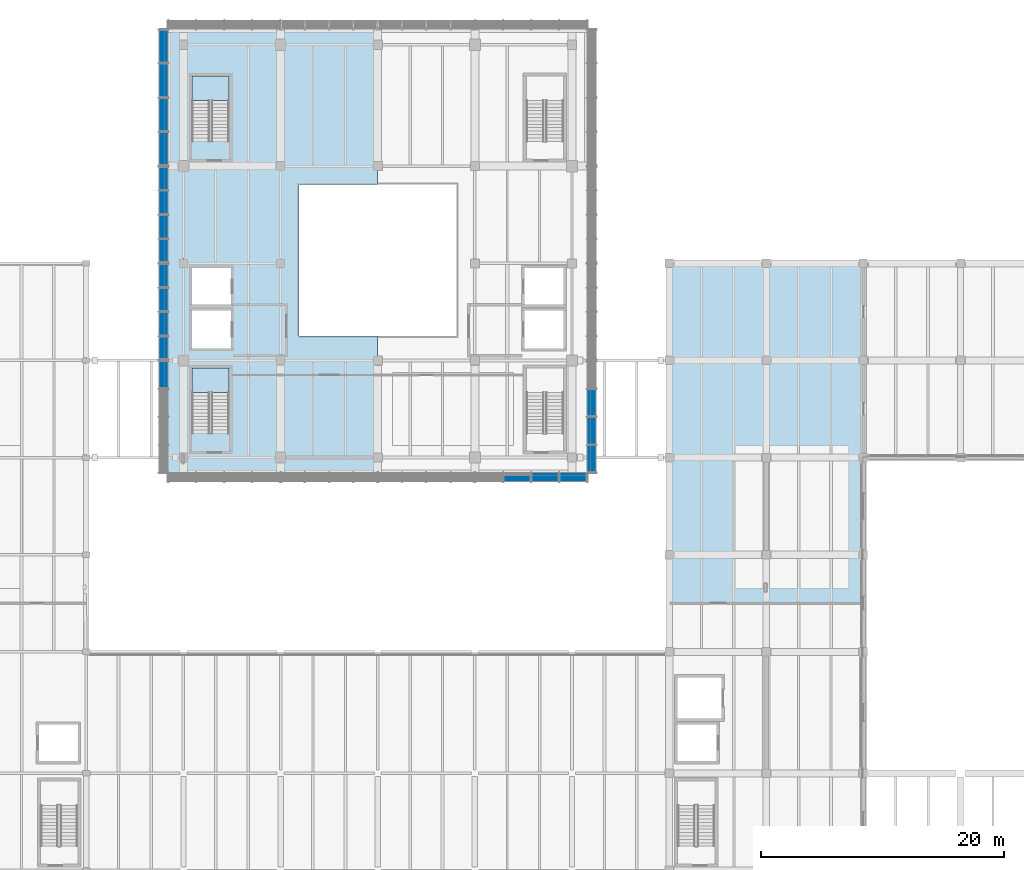
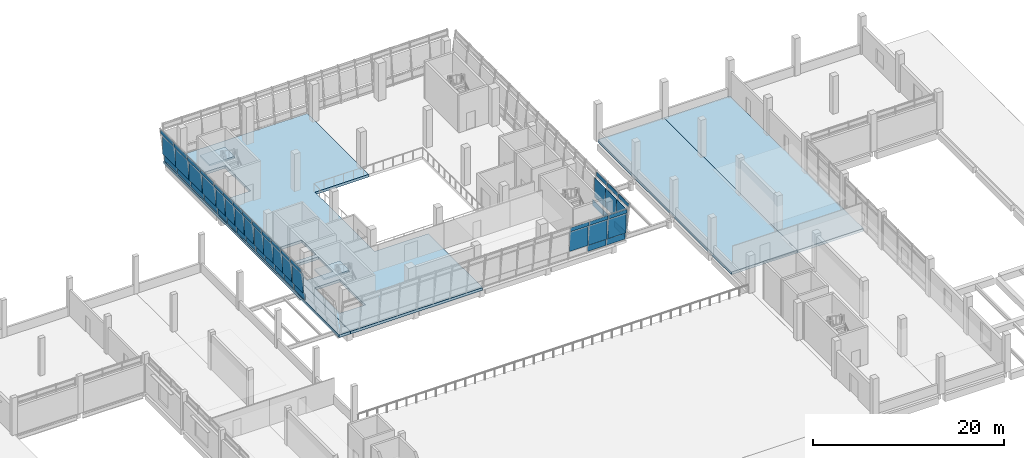
# One storey, part 24 of 52: 56 plates, 6 slabs, 8 elements without a shape of their own.
"""IFC4 building model written with IfcOpenShell, lengths in metres."""

from ifc_helpers import new_model, si_unit, direction, frame, origin, origin_2d, place, context, subcontext, project, spatial, polyline, rectangle, outline, extrude, material, layer, layer_set, type_object, element, aggregate, save


model = new_model("IFC4")

# Units and contexts
model_context = context("Model", 3, precision=1e-05, world=origin(), true_north=direction((0.0, 1.0)))
body_context = subcontext(model_context, "Body", "Model", "MODEL_VIEW")
ifc_project = project(units=[si_unit("LENGTHUNIT", "METRE"), si_unit("AREAUNIT", "SQUARE_METRE"), si_unit("VOLUMEUNIT", "CUBIC_METRE"), si_unit("PLANEANGLEUNIT", "RADIAN"), si_unit("MASSUNIT", "GRAM", prefix="KILO")], contexts=[model_context])

# Site, building, storey
site_placement = place(None, origin())
site = spatial("IfcSite", under=ifc_project, at=site_placement, CompositionType="ELEMENT")
building_placement = place(site_placement, origin())
building = spatial("IfcBuilding", under=site, at=building_placement, Name="Pecanmere Concourse Central Library", CompositionType="ELEMENT")
storey_placement = place(building_placement, frame((0.0, 0.0, 10.5)))
storey = spatial("IfcBuildingStorey", under=building, at=storey_placement, Name="L03", CompositionType="ELEMENT", Elevation=10.5)

# Curtain wall, plates
ifc_material_1 = material(Name="Anodized bronze aluminium alloy 6063-T6", Category="aluminium")
curtain_wall_type = type_object("IfcCurtainWallType", Name="CW_LEAN_BANDED", PredefinedType="USERDEFINED", material=ifc_material_1)
curtain_wall_1_placement = place(storey_placement, origin())
curtain_wall_1 = element("IfcCurtainWall", 1, at=curtain_wall_1_placement, inside=storey, type_object=curtain_wall_type, Name="Unitised Curtain Wall CW-01 L03-029", ObjectType="UNITISED CURTAIN WALL", PredefinedType="USERDEFINED")
ifc_material_2 = material(Name="White ceramic-fritted insulated spandrel glazing", Category="glass")
ifc_layer_1 = layer(ifc_material_2, 0.06396484375, Name="CWP_SPN_64")
ifc_layer_set_1 = layer_set([ifc_layer_1], Name="White ceramic-fritted insulated spandrel glazing")
plate_type_1 = type_object("IfcPlateType", Name="CWP_SPN_64", PredefinedType="CURTAIN_PANEL", material=ifc_layer_set_1)
plate_1_placement = place(storey_placement, frame((101.802490234375, 88.60302734375, 0.18017578125), z_axis=(0.0, 0.0, 1.0), x_axis=(1.0, 0.0, 0.0)))
plate_1 = element("IfcPlate", 2, at=plate_1_placement, type_object=plate_type_1, Name="CW-01 Spandrel Panel 3.1", PredefinedType="CURTAIN_PANEL", context=body_context, shape_type="SweptSolid", body=[
    extrude(rectangle(XDim=2.243896484375, YDim=0.0419921875, at=origin_2d()), origin(), (0.0, 0.0, 1.0), 0.780029296875),
])
plate_2_placement = place(storey_placement, frame((104.102783203125, 88.60302734375, 0.18017578125), z_axis=(0.0, 0.0, 1.0), x_axis=(1.0, 0.0, 0.0)))
plate_2 = element("IfcPlate", 3, at=plate_2_placement, type_object=plate_type_1, Name="CW-01 Spandrel Panel 4.1", PredefinedType="CURTAIN_PANEL", context=body_context, shape_type="SweptSolid", body=[
    extrude(rectangle(XDim=2.20654296875, YDim=0.0419921875, at=origin_2d()), origin(), (0.0, 0.0, 1.0), 0.780029296875),
])

curtain_wall_2_placement = place(storey_placement, origin())
curtain_wall_2 = element("IfcCurtainWall", 4, at=curtain_wall_2_placement, inside=storey, type_object=curtain_wall_type, Name="Unitised Curtain Wall CW-01 L03-030", ObjectType="UNITISED CURTAIN WALL", PredefinedType="USERDEFINED")
plate_3_placement = place(storey_placement, frame((105.39697265625, 89.897216796875, 0.18017578125), z_axis=(0.0, 0.0, 1.0), x_axis=(0.0, 1.0, 0.0)))
plate_3 = element("IfcPlate", 5, at=plate_3_placement, type_object=plate_type_1, Name="CW-01 Spandrel Panel 1.1", PredefinedType="CURTAIN_PANEL", context=body_context, shape_type="SweptSolid", body=[
    extrude(rectangle(XDim=2.20654296875, YDim=0.0419921875, at=origin_2d()), origin(), (0.0, 0.0, 1.0), 0.780029296875),
])
plate_4_placement = place(storey_placement, frame((105.39697265625, 92.197509765625, 0.18017578125), z_axis=(0.0, 0.0, 1.0), x_axis=(0.0, 1.0, 0.0)))
plate_4 = element("IfcPlate", 6, at=plate_4_placement, type_object=plate_type_1, Name="CW-01 Spandrel Panel 2.1", PredefinedType="CURTAIN_PANEL", context=body_context, shape_type="SweptSolid", body=[
    extrude(rectangle(XDim=2.243896484375, YDim=0.0419921875, at=origin_2d()), origin(), (0.0, 0.0, 1.0), 0.780029296875),
])
plate_5_placement = place(storey_placement, frame((105.39697265625, 94.5166015625, 0.18017578125), z_axis=(0.0, 0.0, 1.0), x_axis=(0.0, 1.0, 0.0)))
plate_5 = element("IfcPlate", 7, at=plate_5_placement, type_object=plate_type_1, Name="CW-01 Spandrel Panel 3.1", PredefinedType="CURTAIN_PANEL", context=body_context, shape_type="SweptSolid", body=[
    extrude(rectangle(XDim=2.243896484375, YDim=0.0419921875, at=origin_2d()), origin(), (0.0, 0.0, 1.0), 0.780029296875),
])

curtain_wall_3_placement = place(storey_placement, origin())
curtain_wall_3 = element("IfcCurtainWall", 8, at=curtain_wall_3_placement, inside=storey, type_object=curtain_wall_type, Name="Unitised Curtain Wall CW-01 L03-034", ObjectType="UNITISED CURTAIN WALL", PredefinedType="USERDEFINED")
plate_6_placement = place(storey_placement, frame((70.60302734375, 123.852783203125, 0.18017578125), z_axis=(0.0, 0.0, 1.0), x_axis=(0.0, -1.0, 0.0)))
plate_6 = element("IfcPlate", 9, at=plate_6_placement, type_object=plate_type_1, Name="CW-01 Spandrel Panel 1.1", PredefinedType="CURTAIN_PANEL", context=body_context, shape_type="SweptSolid", body=[
    extrude(rectangle(XDim=2.70654296875, YDim=0.0419921875, at=origin_2d()), origin(), (0.0, 0.0, 1.0), 0.780029296875),
])
plate_7_placement = place(storey_placement, frame((70.60302734375, 121.052490234375, 0.18017578125), z_axis=(0.0, 0.0, 1.0), x_axis=(0.0, -1.0, 0.0)))
plate_7 = element("IfcPlate", 10, at=plate_7_placement, type_object=plate_type_1, Name="CW-01 Spandrel Panel 2.1", PredefinedType="CURTAIN_PANEL", context=body_context, shape_type="SweptSolid", body=[
    extrude(rectangle(XDim=2.743896484375, YDim=0.0419921875, at=origin_2d()), origin(), (0.0, 0.0, 1.0), 0.780029296875),
])
plate_8_placement = place(storey_placement, frame((70.60302734375, 118.2333984375, 0.18017578125), z_axis=(0.0, 0.0, 1.0), x_axis=(0.0, -1.0, 0.0)))
plate_8 = element("IfcPlate", 11, at=plate_8_placement, type_object=plate_type_1, Name="CW-01 Spandrel Panel 3.1", PredefinedType="CURTAIN_PANEL", context=body_context, shape_type="SweptSolid", body=[
    extrude(rectangle(XDim=2.743896484375, YDim=0.0419921875, at=origin_2d()), origin(), (0.0, 0.0, 1.0), 0.780029296875),
])
plate_9_placement = place(storey_placement, frame((70.60302734375, 115.433349609375, 0.18017578125), z_axis=(0.0, 0.0, 1.0), x_axis=(0.0, -1.0, 0.0)))
plate_9 = element("IfcPlate", 12, at=plate_9_placement, type_object=plate_type_1, Name="CW-01 Spandrel Panel 4.1", PredefinedType="CURTAIN_PANEL", context=body_context, shape_type="SweptSolid", body=[
    extrude(rectangle(XDim=2.70654296875, YDim=0.0419921875, at=origin_2d()), origin(), (0.0, 0.0, 1.0), 0.780029296875),
])

curtain_wall_4_placement = place(storey_placement, origin())
curtain_wall_4 = element("IfcCurtainWall", 13, at=curtain_wall_4_placement, inside=storey, type_object=curtain_wall_type, Name="Unitised Curtain Wall CW-01 L03-035", ObjectType="UNITISED CURTAIN WALL", PredefinedType="USERDEFINED")
plate_10_placement = place(storey_placement, frame((70.60302734375, 112.9775390625, 0.18017578125), z_axis=(0.0, 0.0, 1.0), x_axis=(0.0, -1.0, 0.0)))
plate_10 = element("IfcPlate", 14, at=plate_10_placement, type_object=plate_type_1, Name="CW-01 Spandrel Panel 1.1", PredefinedType="CURTAIN_PANEL", context=body_context, shape_type="SweptSolid", body=[
    extrude(rectangle(XDim=1.885009765625, YDim=0.0419921875, at=origin_2d()), origin(), (0.0, 0.0, 1.0), 0.780029296875),
])
plate_11_placement = place(storey_placement, frame((70.60302734375, 110.998779296875, 0.18017578125), z_axis=(0.0, 0.0, 1.0), x_axis=(0.0, -1.0, 0.0)))
plate_11 = element("IfcPlate", 15, at=plate_11_placement, type_object=plate_type_1, Name="CW-01 Spandrel Panel 2.1", PredefinedType="CURTAIN_PANEL", context=body_context, shape_type="SweptSolid", body=[
    extrude(rectangle(XDim=1.922607421875, YDim=0.0419921875, at=origin_2d()), origin(), (0.0, 0.0, 1.0), 0.780029296875),
])
plate_12_placement = place(storey_placement, frame((70.60302734375, 109.001220703125, 0.18017578125), z_axis=(0.0, 0.0, 1.0), x_axis=(0.0, -1.0, 0.0)))
plate_12 = element("IfcPlate", 16, at=plate_12_placement, type_object=plate_type_1, Name="CW-01 Spandrel Panel 3.1", PredefinedType="CURTAIN_PANEL", context=body_context, shape_type="SweptSolid", body=[
    extrude(rectangle(XDim=1.922607421875, YDim=0.0419921875, at=origin_2d()), origin(), (0.0, 0.0, 1.0), 0.780029296875),
])
plate_13_placement = place(storey_placement, frame((70.60302734375, 107.0224609375, 0.18017578125), z_axis=(0.0, 0.0, 1.0), x_axis=(0.0, -1.0, 0.0)))
plate_13 = element("IfcPlate", 17, at=plate_13_placement, type_object=plate_type_1, Name="CW-01 Spandrel Panel 4.1", PredefinedType="CURTAIN_PANEL", context=body_context, shape_type="SweptSolid", body=[
    extrude(rectangle(XDim=1.885009765625, YDim=0.0419921875, at=origin_2d()), origin(), (0.0, 0.0, 1.0), 0.780029296875),
])

curtain_wall_5_placement = place(storey_placement, origin())
curtain_wall_5 = element("IfcCurtainWall", 18, at=curtain_wall_5_placement, inside=storey, type_object=curtain_wall_type, Name="Unitised Curtain Wall CW-01 L03-036", ObjectType="UNITISED CURTAIN WALL", PredefinedType="USERDEFINED")
plate_14_placement = place(storey_placement, frame((70.60302734375, 104.9775390625, 0.18017578125), z_axis=(0.0, 0.0, 1.0), x_axis=(0.0, -1.0, 0.0)))
plate_14 = element("IfcPlate", 19, at=plate_14_placement, type_object=plate_type_1, Name="CW-01 Spandrel Panel 1.1", PredefinedType="CURTAIN_PANEL", context=body_context, shape_type="SweptSolid", body=[
    extrude(rectangle(XDim=1.885009765625, YDim=0.0419921875, at=origin_2d()), origin(), (0.0, 0.0, 1.0), 0.780029296875),
])
plate_15_placement = place(storey_placement, frame((70.60302734375, 102.998779296875, 0.18017578125), z_axis=(0.0, 0.0, 1.0), x_axis=(0.0, -1.0, 0.0)))
plate_15 = element("IfcPlate", 20, at=plate_15_placement, type_object=plate_type_1, Name="CW-01 Spandrel Panel 2.1", PredefinedType="CURTAIN_PANEL", context=body_context, shape_type="SweptSolid", body=[
    extrude(rectangle(XDim=1.922607421875, YDim=0.0419921875, at=origin_2d()), origin(), (0.0, 0.0, 1.0), 0.780029296875),
])
plate_16_placement = place(storey_placement, frame((70.60302734375, 101.001220703125, 0.18017578125), z_axis=(0.0, 0.0, 1.0), x_axis=(0.0, -1.0, 0.0)))
plate_16 = element("IfcPlate", 21, at=plate_16_placement, type_object=plate_type_1, Name="CW-01 Spandrel Panel 3.1", PredefinedType="CURTAIN_PANEL", context=body_context, shape_type="SweptSolid", body=[
    extrude(rectangle(XDim=1.922607421875, YDim=0.0419921875, at=origin_2d()), origin(), (0.0, 0.0, 1.0), 0.780029296875),
])
plate_17_placement = place(storey_placement, frame((70.60302734375, 99.0224609375, 0.18017578125), z_axis=(0.0, 0.0, 1.0), x_axis=(0.0, -1.0, 0.0)))
plate_17 = element("IfcPlate", 22, at=plate_17_placement, type_object=plate_type_1, Name="CW-01 Spandrel Panel 4.1", PredefinedType="CURTAIN_PANEL", context=body_context, shape_type="SweptSolid", body=[
    extrude(rectangle(XDim=1.885009765625, YDim=0.0419921875, at=origin_2d()), origin(), (0.0, 0.0, 1.0), 0.780029296875),
])

# Curtain wall, plate
curtain_wall_6_placement = place(storey_placement, origin())
curtain_wall_6 = element("IfcCurtainWall", 23, at=curtain_wall_6_placement, inside=storey, type_object=curtain_wall_type, Name="Unitised Curtain Wall CW-01 L03-037", ObjectType="UNITISED CURTAIN WALL", PredefinedType="USERDEFINED")
plate_18_placement = place(storey_placement, frame((70.60302734375, 96.816650390625, 0.18017578125), z_axis=(0.0, 0.0, 1.0), x_axis=(0.0, -1.0, 0.0)))
plate_18 = element("IfcPlate", 24, at=plate_18_placement, type_object=plate_type_1, Name="CW-01 Spandrel Panel 1.1", PredefinedType="CURTAIN_PANEL", context=body_context, shape_type="SweptSolid", body=[
    extrude(rectangle(XDim=2.20654296875, YDim=0.0419921875, at=origin_2d()), origin(), (0.0, 0.0, 1.0), 0.780029296875),
])

# Plate
ifc_material_3 = material(Name="Low-iron clear insulated glazing", Category="glass")
ifc_layer_2 = layer(ifc_material_3, 0.0419921875, Name="CWP_VIS_42")
ifc_layer_set_2 = layer_set([ifc_layer_2], Name="Low-iron clear insulated glazing")
plate_type_2 = type_object("IfcPlateType", Name="CWP_VIS_42", PredefinedType="CURTAIN_PANEL", material=ifc_layer_set_2)
plate_19_placement = place(storey_placement, frame((99.4833984375, 88.360107421875, 1.139892578125), z_axis=(0.0, 0.0, 1.0), x_axis=(1.0, 0.0, 0.0)))
plate_19 = element("IfcPlate", 25, at=plate_19_placement, type_object=plate_type_2, Name="CW-01 Vision Panel 2.2", PredefinedType="CURTAIN_PANEL", context=body_context, shape_type="SweptSolid", body=[
    extrude(rectangle(XDim=2.243896484375, YDim=0.0419921875, at=origin_2d()), origin(), (0.0, 0.0, 1.0), 2.5),
])

plate_20_placement = place(storey_placement, frame((99.4833984375, 88.13720703125, 3.820068359375), z_axis=(0.0, 0.0, 1.0), x_axis=(1.0, 0.0, 0.0)))
plate_20 = element("IfcPlate", 26, at=plate_20_placement, type_object=plate_type_2, Name="CW-01 Vision Panel 2.3", PredefinedType="CURTAIN_PANEL", context=body_context, shape_type="SweptSolid", body=[
    extrude(rectangle(XDim=2.243896484375, YDim=0.0419921875, at=origin_2d()), origin(), (0.0, 0.0, 1.0), 0.47998046875),
])

plate_21_placement = place(storey_placement, frame((101.802490234375, 88.360107421875, 1.139892578125), z_axis=(0.0, 0.0, 1.0), x_axis=(1.0, 0.0, 0.0)))
plate_21 = element("IfcPlate", 27, at=plate_21_placement, type_object=plate_type_2, Name="CW-01 Vision Panel 3.2", PredefinedType="CURTAIN_PANEL", context=body_context, shape_type="SweptSolid", body=[
    extrude(rectangle(XDim=2.243896484375, YDim=0.0419921875, at=origin_2d()), origin(), (0.0, 0.0, 1.0), 2.5),
])

plate_22_placement = place(storey_placement, frame((101.802490234375, 88.13720703125, 3.820068359375), z_axis=(0.0, 0.0, 1.0), x_axis=(1.0, 0.0, 0.0)))
plate_22 = element("IfcPlate", 28, at=plate_22_placement, type_object=plate_type_2, Name="CW-01 Vision Panel 3.3", PredefinedType="CURTAIN_PANEL", context=body_context, shape_type="SweptSolid", body=[
    extrude(rectangle(XDim=2.243896484375, YDim=0.0419921875, at=origin_2d()), origin(), (0.0, 0.0, 1.0), 0.47998046875),
])

plate_23_placement = place(storey_placement, frame((104.102783203125, 88.360107421875, 1.139892578125), z_axis=(0.0, 0.0, 1.0), x_axis=(1.0, 0.0, 0.0)))
plate_23 = element("IfcPlate", 29, at=plate_23_placement, type_object=plate_type_2, Name="CW-01 Vision Panel 4.2", PredefinedType="CURTAIN_PANEL", context=body_context, shape_type="SweptSolid", body=[
    extrude(rectangle(XDim=2.20654296875, YDim=0.0419921875, at=origin_2d()), origin(), (0.0, 0.0, 1.0), 2.5),
])

plate_24_placement = place(storey_placement, frame((104.102783203125, 88.13720703125, 3.820068359375), z_axis=(0.0, 0.0, 1.0), x_axis=(1.0, 0.0, 0.0)))
plate_24 = element("IfcPlate", 30, at=plate_24_placement, type_object=plate_type_2, Name="CW-01 Vision Panel 4.3", PredefinedType="CURTAIN_PANEL", context=body_context, shape_type="SweptSolid", body=[
    extrude(rectangle(XDim=2.20654296875, YDim=0.0419921875, at=origin_2d()), origin(), (0.0, 0.0, 1.0), 0.47998046875),
])

aggregate(curtain_wall_1, [plate_19, plate_20, plate_1, plate_21, plate_22, plate_2, plate_23, plate_24])

plate_25_placement = place(storey_placement, frame((105.639892578125, 89.897216796875, 1.139892578125), z_axis=(0.0, 0.0, 1.0), x_axis=(0.0, 1.0, 0.0)))
plate_25 = element("IfcPlate", 31, at=plate_25_placement, type_object=plate_type_2, Name="CW-01 Vision Panel 1.2", PredefinedType="CURTAIN_PANEL", context=body_context, shape_type="SweptSolid", body=[
    extrude(rectangle(XDim=2.20654296875, YDim=0.0419921875, at=origin_2d()), origin(), (0.0, 0.0, 1.0), 2.5),
])

plate_26_placement = place(storey_placement, frame((105.86279296875, 89.897216796875, 3.820068359375), z_axis=(0.0, 0.0, 1.0), x_axis=(0.0, 1.0, 0.0)))
plate_26 = element("IfcPlate", 32, at=plate_26_placement, type_object=plate_type_2, Name="CW-01 Vision Panel 1.3", PredefinedType="CURTAIN_PANEL", context=body_context, shape_type="SweptSolid", body=[
    extrude(rectangle(XDim=2.20654296875, YDim=0.0419921875, at=origin_2d()), origin(), (0.0, 0.0, 1.0), 0.47998046875),
])

plate_27_placement = place(storey_placement, frame((105.639892578125, 92.197509765625, 1.139892578125), z_axis=(0.0, 0.0, 1.0), x_axis=(0.0, 1.0, 0.0)))
plate_27 = element("IfcPlate", 33, at=plate_27_placement, type_object=plate_type_2, Name="CW-01 Vision Panel 2.2", PredefinedType="CURTAIN_PANEL", context=body_context, shape_type="SweptSolid", body=[
    extrude(rectangle(XDim=2.243896484375, YDim=0.0419921875, at=origin_2d()), origin(), (0.0, 0.0, 1.0), 2.5),
])

plate_28_placement = place(storey_placement, frame((105.86279296875, 92.197509765625, 3.820068359375), z_axis=(0.0, 0.0, 1.0), x_axis=(0.0, 1.0, 0.0)))
plate_28 = element("IfcPlate", 34, at=plate_28_placement, type_object=plate_type_2, Name="CW-01 Vision Panel 2.3", PredefinedType="CURTAIN_PANEL", context=body_context, shape_type="SweptSolid", body=[
    extrude(rectangle(XDim=2.243896484375, YDim=0.0419921875, at=origin_2d()), origin(), (0.0, 0.0, 1.0), 0.47998046875),
])

plate_29_placement = place(storey_placement, frame((105.639892578125, 94.5166015625, 1.139892578125), z_axis=(0.0, 0.0, 1.0), x_axis=(0.0, 1.0, 0.0)))
plate_29 = element("IfcPlate", 35, at=plate_29_placement, type_object=plate_type_2, Name="CW-01 Vision Panel 3.2", PredefinedType="CURTAIN_PANEL", context=body_context, shape_type="SweptSolid", body=[
    extrude(rectangle(XDim=2.243896484375, YDim=0.0419921875, at=origin_2d()), origin(), (0.0, 0.0, 1.0), 2.5),
])

plate_30_placement = place(storey_placement, frame((105.86279296875, 94.5166015625, 3.820068359375), z_axis=(0.0, 0.0, 1.0), x_axis=(0.0, 1.0, 0.0)))
plate_30 = element("IfcPlate", 36, at=plate_30_placement, type_object=plate_type_2, Name="CW-01 Vision Panel 3.3", PredefinedType="CURTAIN_PANEL", context=body_context, shape_type="SweptSolid", body=[
    extrude(rectangle(XDim=2.243896484375, YDim=0.0419921875, at=origin_2d()), origin(), (0.0, 0.0, 1.0), 0.47998046875),
])

aggregate(curtain_wall_2, [plate_3, plate_25, plate_26, plate_4, plate_27, plate_28, plate_5, plate_29, plate_30])

plate_31_placement = place(storey_placement, frame((70.360107421875, 123.852783203125, 1.139892578125), z_axis=(0.0, 0.0, 1.0), x_axis=(0.0, -1.0, 0.0)))
plate_31 = element("IfcPlate", 37, at=plate_31_placement, type_object=plate_type_2, Name="CW-01 Vision Panel 1.2", PredefinedType="CURTAIN_PANEL", context=body_context, shape_type="SweptSolid", body=[
    extrude(rectangle(XDim=2.70654296875, YDim=0.0419921875, at=origin_2d()), origin(), (0.0, 0.0, 1.0), 2.5),
])

plate_32_placement = place(storey_placement, frame((70.13720703125, 123.852783203125, 3.820068359375), z_axis=(0.0, 0.0, 1.0), x_axis=(0.0, -1.0, 0.0)))
plate_32 = element("IfcPlate", 38, at=plate_32_placement, type_object=plate_type_2, Name="CW-01 Vision Panel 1.3", PredefinedType="CURTAIN_PANEL", context=body_context, shape_type="SweptSolid", body=[
    extrude(rectangle(XDim=2.70654296875, YDim=0.0419921875, at=origin_2d()), origin(), (0.0, 0.0, 1.0), 0.47998046875),
])

plate_33_placement = place(storey_placement, frame((70.360107421875, 121.052490234375, 1.139892578125), z_axis=(0.0, 0.0, 1.0), x_axis=(0.0, -1.0, 0.0)))
plate_33 = element("IfcPlate", 39, at=plate_33_placement, type_object=plate_type_2, Name="CW-01 Vision Panel 2.2", PredefinedType="CURTAIN_PANEL", context=body_context, shape_type="SweptSolid", body=[
    extrude(rectangle(XDim=2.743896484375, YDim=0.0419921875, at=origin_2d()), origin(), (0.0, 0.0, 1.0), 2.5),
])

plate_34_placement = place(storey_placement, frame((70.13720703125, 121.052490234375, 3.820068359375), z_axis=(0.0, 0.0, 1.0), x_axis=(0.0, -1.0, 0.0)))
plate_34 = element("IfcPlate", 40, at=plate_34_placement, type_object=plate_type_2, Name="CW-01 Vision Panel 2.3", PredefinedType="CURTAIN_PANEL", context=body_context, shape_type="SweptSolid", body=[
    extrude(rectangle(XDim=2.743896484375, YDim=0.0419921875, at=origin_2d()), origin(), (0.0, 0.0, 1.0), 0.47998046875),
])

plate_35_placement = place(storey_placement, frame((70.360107421875, 118.2333984375, 1.139892578125), z_axis=(0.0, 0.0, 1.0), x_axis=(0.0, -1.0, 0.0)))
plate_35 = element("IfcPlate", 41, at=plate_35_placement, type_object=plate_type_2, Name="CW-01 Vision Panel 3.2", PredefinedType="CURTAIN_PANEL", context=body_context, shape_type="SweptSolid", body=[
    extrude(rectangle(XDim=2.743896484375, YDim=0.0419921875, at=origin_2d()), origin(), (0.0, 0.0, 1.0), 2.5),
])

plate_36_placement = place(storey_placement, frame((70.13720703125, 118.2333984375, 3.820068359375), z_axis=(0.0, 0.0, 1.0), x_axis=(0.0, -1.0, 0.0)))
plate_36 = element("IfcPlate", 42, at=plate_36_placement, type_object=plate_type_2, Name="CW-01 Vision Panel 3.3", PredefinedType="CURTAIN_PANEL", context=body_context, shape_type="SweptSolid", body=[
    extrude(rectangle(XDim=2.743896484375, YDim=0.0419921875, at=origin_2d()), origin(), (0.0, 0.0, 1.0), 0.47998046875),
])

plate_37_placement = place(storey_placement, frame((70.360107421875, 115.433349609375, 1.139892578125), z_axis=(0.0, 0.0, 1.0), x_axis=(0.0, -1.0, 0.0)))
plate_37 = element("IfcPlate", 43, at=plate_37_placement, type_object=plate_type_2, Name="CW-01 Vision Panel 4.2", PredefinedType="CURTAIN_PANEL", context=body_context, shape_type="SweptSolid", body=[
    extrude(rectangle(XDim=2.70654296875, YDim=0.0419921875, at=origin_2d()), origin(), (0.0, 0.0, 1.0), 2.5),
])

plate_38_placement = place(storey_placement, frame((70.13720703125, 115.433349609375, 3.820068359375), z_axis=(0.0, 0.0, 1.0), x_axis=(0.0, -1.0, 0.0)))
plate_38 = element("IfcPlate", 44, at=plate_38_placement, type_object=plate_type_2, Name="CW-01 Vision Panel 4.3", PredefinedType="CURTAIN_PANEL", context=body_context, shape_type="SweptSolid", body=[
    extrude(rectangle(XDim=2.70654296875, YDim=0.0419921875, at=origin_2d()), origin(), (0.0, 0.0, 1.0), 0.47998046875),
])

aggregate(curtain_wall_3, [plate_6, plate_31, plate_32, plate_7, plate_33, plate_34, plate_8, plate_35, plate_36, plate_9, plate_37, plate_38])

plate_39_placement = place(storey_placement, frame((70.360107421875, 112.9775390625, 1.139892578125), z_axis=(0.0, 0.0, 1.0), x_axis=(0.0, -1.0, 0.0)))
plate_39 = element("IfcPlate", 45, at=plate_39_placement, type_object=plate_type_2, Name="CW-01 Vision Panel 1.2", PredefinedType="CURTAIN_PANEL", context=body_context, shape_type="SweptSolid", body=[
    extrude(rectangle(XDim=1.885009765625, YDim=0.0419921875, at=origin_2d()), origin(), (0.0, 0.0, 1.0), 2.5),
])

plate_40_placement = place(storey_placement, frame((70.13720703125, 112.9775390625, 3.820068359375), z_axis=(0.0, 0.0, 1.0), x_axis=(0.0, -1.0, 0.0)))
plate_40 = element("IfcPlate", 46, at=plate_40_placement, type_object=plate_type_2, Name="CW-01 Vision Panel 1.3", PredefinedType="CURTAIN_PANEL", context=body_context, shape_type="SweptSolid", body=[
    extrude(rectangle(XDim=1.885009765625, YDim=0.0419921875, at=origin_2d()), origin(), (0.0, 0.0, 1.0), 0.47998046875),
])

plate_41_placement = place(storey_placement, frame((70.360107421875, 110.998779296875, 1.139892578125), z_axis=(0.0, 0.0, 1.0), x_axis=(0.0, -1.0, 0.0)))
plate_41 = element("IfcPlate", 47, at=plate_41_placement, type_object=plate_type_2, Name="CW-01 Vision Panel 2.2", PredefinedType="CURTAIN_PANEL", context=body_context, shape_type="SweptSolid", body=[
    extrude(rectangle(XDim=1.922607421875, YDim=0.0419921875, at=origin_2d()), origin(), (0.0, 0.0, 1.0), 2.5),
])

plate_42_placement = place(storey_placement, frame((70.13720703125, 110.998779296875, 3.820068359375), z_axis=(0.0, 0.0, 1.0), x_axis=(0.0, -1.0, 0.0)))
plate_42 = element("IfcPlate", 48, at=plate_42_placement, type_object=plate_type_2, Name="CW-01 Vision Panel 2.3", PredefinedType="CURTAIN_PANEL", context=body_context, shape_type="SweptSolid", body=[
    extrude(rectangle(XDim=1.922607421875, YDim=0.0419921875, at=origin_2d()), origin(), (0.0, 0.0, 1.0), 0.47998046875),
])

plate_43_placement = place(storey_placement, frame((70.360107421875, 109.001220703125, 1.139892578125), z_axis=(0.0, 0.0, 1.0), x_axis=(0.0, -1.0, 0.0)))
plate_43 = element("IfcPlate", 49, at=plate_43_placement, type_object=plate_type_2, Name="CW-01 Vision Panel 3.2", PredefinedType="CURTAIN_PANEL", context=body_context, shape_type="SweptSolid", body=[
    extrude(rectangle(XDim=1.922607421875, YDim=0.0419921875, at=origin_2d()), origin(), (0.0, 0.0, 1.0), 2.5),
])

plate_44_placement = place(storey_placement, frame((70.13720703125, 109.001220703125, 3.820068359375), z_axis=(0.0, 0.0, 1.0), x_axis=(0.0, -1.0, 0.0)))
plate_44 = element("IfcPlate", 50, at=plate_44_placement, type_object=plate_type_2, Name="CW-01 Vision Panel 3.3", PredefinedType="CURTAIN_PANEL", context=body_context, shape_type="SweptSolid", body=[
    extrude(rectangle(XDim=1.922607421875, YDim=0.0419921875, at=origin_2d()), origin(), (0.0, 0.0, 1.0), 0.47998046875),
])

plate_45_placement = place(storey_placement, frame((70.360107421875, 107.0224609375, 1.139892578125), z_axis=(0.0, 0.0, 1.0), x_axis=(0.0, -1.0, 0.0)))
plate_45 = element("IfcPlate", 51, at=plate_45_placement, type_object=plate_type_2, Name="CW-01 Vision Panel 4.2", PredefinedType="CURTAIN_PANEL", context=body_context, shape_type="SweptSolid", body=[
    extrude(rectangle(XDim=1.885009765625, YDim=0.0419921875, at=origin_2d()), origin(), (0.0, 0.0, 1.0), 2.5),
])

plate_46_placement = place(storey_placement, frame((70.13720703125, 107.0224609375, 3.820068359375), z_axis=(0.0, 0.0, 1.0), x_axis=(0.0, -1.0, 0.0)))
plate_46 = element("IfcPlate", 52, at=plate_46_placement, type_object=plate_type_2, Name="CW-01 Vision Panel 4.3", PredefinedType="CURTAIN_PANEL", context=body_context, shape_type="SweptSolid", body=[
    extrude(rectangle(XDim=1.885009765625, YDim=0.0419921875, at=origin_2d()), origin(), (0.0, 0.0, 1.0), 0.47998046875),
])

aggregate(curtain_wall_4, [plate_10, plate_39, plate_40, plate_11, plate_41, plate_42, plate_12, plate_43, plate_44, plate_13, plate_45, plate_46])

plate_47_placement = place(storey_placement, frame((70.360107421875, 104.9775390625, 1.139892578125), z_axis=(0.0, 0.0, 1.0), x_axis=(0.0, -1.0, 0.0)))
plate_47 = element("IfcPlate", 53, at=plate_47_placement, type_object=plate_type_2, Name="CW-01 Vision Panel 1.2", PredefinedType="CURTAIN_PANEL", context=body_context, shape_type="SweptSolid", body=[
    extrude(rectangle(XDim=1.885009765625, YDim=0.0419921875, at=origin_2d()), origin(), (0.0, 0.0, 1.0), 2.5),
])

plate_48_placement = place(storey_placement, frame((70.13720703125, 104.9775390625, 3.820068359375), z_axis=(0.0, 0.0, 1.0), x_axis=(0.0, -1.0, 0.0)))
plate_48 = element("IfcPlate", 54, at=plate_48_placement, type_object=plate_type_2, Name="CW-01 Vision Panel 1.3", PredefinedType="CURTAIN_PANEL", context=body_context, shape_type="SweptSolid", body=[
    extrude(rectangle(XDim=1.885009765625, YDim=0.0419921875, at=origin_2d()), origin(), (0.0, 0.0, 1.0), 0.47998046875),
])

plate_49_placement = place(storey_placement, frame((70.360107421875, 102.998779296875, 1.139892578125), z_axis=(0.0, 0.0, 1.0), x_axis=(0.0, -1.0, 0.0)))
plate_49 = element("IfcPlate", 55, at=plate_49_placement, type_object=plate_type_2, Name="CW-01 Vision Panel 2.2", PredefinedType="CURTAIN_PANEL", context=body_context, shape_type="SweptSolid", body=[
    extrude(rectangle(XDim=1.922607421875, YDim=0.0419921875, at=origin_2d()), origin(), (0.0, 0.0, 1.0), 2.5),
])

plate_50_placement = place(storey_placement, frame((70.13720703125, 102.998779296875, 3.820068359375), z_axis=(0.0, 0.0, 1.0), x_axis=(0.0, -1.0, 0.0)))
plate_50 = element("IfcPlate", 56, at=plate_50_placement, type_object=plate_type_2, Name="CW-01 Vision Panel 2.3", PredefinedType="CURTAIN_PANEL", context=body_context, shape_type="SweptSolid", body=[
    extrude(rectangle(XDim=1.922607421875, YDim=0.0419921875, at=origin_2d()), origin(), (0.0, 0.0, 1.0), 0.47998046875),
])

plate_51_placement = place(storey_placement, frame((70.360107421875, 101.001220703125, 1.139892578125), z_axis=(0.0, 0.0, 1.0), x_axis=(0.0, -1.0, 0.0)))
plate_51 = element("IfcPlate", 57, at=plate_51_placement, type_object=plate_type_2, Name="CW-01 Vision Panel 3.2", PredefinedType="CURTAIN_PANEL", context=body_context, shape_type="SweptSolid", body=[
    extrude(rectangle(XDim=1.922607421875, YDim=0.0419921875, at=origin_2d()), origin(), (0.0, 0.0, 1.0), 2.5),
])

plate_52_placement = place(storey_placement, frame((70.13720703125, 101.001220703125, 3.820068359375), z_axis=(0.0, 0.0, 1.0), x_axis=(0.0, -1.0, 0.0)))
plate_52 = element("IfcPlate", 58, at=plate_52_placement, type_object=plate_type_2, Name="CW-01 Vision Panel 3.3", PredefinedType="CURTAIN_PANEL", context=body_context, shape_type="SweptSolid", body=[
    extrude(rectangle(XDim=1.922607421875, YDim=0.0419921875, at=origin_2d()), origin(), (0.0, 0.0, 1.0), 0.47998046875),
])

plate_53_placement = place(storey_placement, frame((70.360107421875, 99.0224609375, 1.139892578125), z_axis=(0.0, 0.0, 1.0), x_axis=(0.0, -1.0, 0.0)))
plate_53 = element("IfcPlate", 59, at=plate_53_placement, type_object=plate_type_2, Name="CW-01 Vision Panel 4.2", PredefinedType="CURTAIN_PANEL", context=body_context, shape_type="SweptSolid", body=[
    extrude(rectangle(XDim=1.885009765625, YDim=0.0419921875, at=origin_2d()), origin(), (0.0, 0.0, 1.0), 2.5),
])

plate_54_placement = place(storey_placement, frame((70.13720703125, 99.0224609375, 3.820068359375), z_axis=(0.0, 0.0, 1.0), x_axis=(0.0, -1.0, 0.0)))
plate_54 = element("IfcPlate", 60, at=plate_54_placement, type_object=plate_type_2, Name="CW-01 Vision Panel 4.3", PredefinedType="CURTAIN_PANEL", context=body_context, shape_type="SweptSolid", body=[
    extrude(rectangle(XDim=1.885009765625, YDim=0.0419921875, at=origin_2d()), origin(), (0.0, 0.0, 1.0), 0.47998046875),
])

aggregate(curtain_wall_5, [plate_14, plate_47, plate_48, plate_15, plate_49, plate_50, plate_16, plate_51, plate_52, plate_17, plate_53, plate_54])

plate_55_placement = place(storey_placement, frame((70.360107421875, 96.816650390625, 1.139892578125), z_axis=(0.0, 0.0, 1.0), x_axis=(0.0, -1.0, 0.0)))
plate_55 = element("IfcPlate", 61, at=plate_55_placement, type_object=plate_type_2, Name="CW-01 Vision Panel 1.2", PredefinedType="CURTAIN_PANEL", context=body_context, shape_type="SweptSolid", body=[
    extrude(rectangle(XDim=2.20654296875, YDim=0.0419921875, at=origin_2d()), origin(), (0.0, 0.0, 1.0), 2.5),
])

plate_56_placement = place(storey_placement, frame((70.13720703125, 96.816650390625, 3.820068359375), z_axis=(0.0, 0.0, 1.0), x_axis=(0.0, -1.0, 0.0)))
plate_56 = element("IfcPlate", 62, at=plate_56_placement, type_object=plate_type_2, Name="CW-01 Vision Panel 1.3", PredefinedType="CURTAIN_PANEL", context=body_context, shape_type="SweptSolid", body=[
    extrude(rectangle(XDim=2.20654296875, YDim=0.0419921875, at=origin_2d()), origin(), (0.0, 0.0, 1.0), 0.47998046875),
])

aggregate(curtain_wall_6, [plate_18, plate_55, plate_56])

# Slabs
ifc_material_4 = material(Name="Concrete C35/45", Category="concrete")
ifc_layer_3 = layer(ifc_material_4, 0.340087890625, Name="SLAB_COMPACT_340")
ifc_layer_set_3 = layer_set([ifc_layer_3], Name="Concrete C35/45")
slab_type_1 = type_object("IfcSlabType", Name="SLAB_COMPACT_340", PredefinedType="FLOOR", material=ifc_layer_set_3)
slab_1_placement = place(storey_placement, frame((0.0, 0.0, -0.340087890625)))
element("IfcSlab", 63, at=slab_1_placement, inside=storey, type_object=slab_type_1, Name="Floor Slab V1 L03-100", PredefinedType="FLOOR", context=body_context, shape_type="SweptSolid", body=[
    extrude(outline(polyline([(72.0, 90.198974609375), (71.919921875, 90.198974609375), (71.919921875, 89.59912109375), (72.0, 89.59912109375), (72.0, 88.59912109375), (70.59912109375, 88.59912109375), (70.59912109375, 125.40087890625), (72.0, 125.40087890625), (72.0, 90.198974609375)])), origin(), (0.0, 0.0, 1.0), 0.340087890625),
])
slab_2_placement = place(storey_placement, frame((0.0, 0.0, -0.340087890625)))
element("IfcSlab", 64, at=slab_2_placement, inside=storey, type_object=slab_type_1, Name="Floor Slab V1 L03-101", PredefinedType="FLOOR", context=body_context, shape_type="SweptSolid", body=[
    extrude(outline(polyline([(72.0, 88.59912109375), (72.0, 125.40087890625), (88.0, 125.40087890625), (88.0, 112.5), (81.5, 112.5), (81.5, 100.0), (88.0, 100.0), (88.0, 88.59912109375), (72.0, 88.59912109375)]), holes=[polyline([(75.760009765625, 97.3701171875), (72.699951171875, 97.3701171875), (72.699951171875, 92.030029296875), (75.760009765625, 92.030029296875), (75.760009765625, 97.3701171875)]), polyline([(75.89990234375, 102.10009765625), (72.699951171875, 102.10009765625), (72.699951171875, 99.0), (75.89990234375, 99.0), (75.89990234375, 102.10009765625)]), polyline([(75.89990234375, 105.60009765625), (72.699951171875, 105.60009765625), (72.699951171875, 102.60009765625), (75.89990234375, 102.60009765625), (75.89990234375, 105.60009765625)]), polyline([(75.760009765625, 121.419921875), (72.699951171875, 121.419921875), (72.699951171875, 116.080078125), (75.760009765625, 116.080078125), (75.760009765625, 121.419921875)])]), origin(), (0.0, 0.0, 1.0), 0.340087890625),
])
slab_3_placement = place(storey_placement, frame((0.0, 0.0, -0.340087890625)))
element("IfcSlab", 65, at=slab_3_placement, inside=storey, type_object=slab_type_1, Name="Floor Slab V2 L03-105", PredefinedType="FLOOR", context=body_context, shape_type="SweptSolid", body=[
    extrude(outline(polyline([(112.0, 78.0), (112.0, 106.0), (120.0, 106.0), (120.0, 79.60009765625), (119.919921875, 79.60009765625), (119.919921875, 79.0), (120.0, 79.0), (120.0, 78.0), (112.0, 78.0)])), origin(), (0.0, 0.0, 1.0), 0.340087890625),
])
slab_4_placement = place(storey_placement, frame((0.0, 0.0, -0.340087890625)))
element("IfcSlab", 66, at=slab_4_placement, inside=storey, type_object=slab_type_1, Name="Floor Slab V2 L03-107", PredefinedType="FLOOR", context=body_context, shape_type="SweptSolid", body=[
    extrude(outline(polyline([(128.0, 78.0), (120.0, 78.0), (120.0, 106.0), (128.0, 106.0), (128.0, 90.0), (128.0, 78.0)])), origin(), (0.0, 0.0, 1.0), 0.340087890625),
])

# Stair, slab
ifc_material_5 = material(Name="Concrete C35/45", Category="concrete")
stair_type_1 = type_object("IfcStairType", Name="STAIR_TYPE_ST-01-1846", PredefinedType="USERDEFINED", material=ifc_material_5)
stair_1_placement = place(storey_placement, origin())
stair_1 = element("IfcStair", 67, at=stair_1_placement, inside=storey, type_object=stair_type_1, Name="L03 Protected Stair ST-01", ObjectType="TWO_RETURN_STAIR", PredefinedType="USERDEFINED")
ifc_material_6 = material(Name="Concrete C35/45", Category="concrete")
ifc_layer_4 = layer(ifc_material_6, 0.199951171875, Name="SLAB_LANDING_200")
ifc_layer_set_4 = layer_set([ifc_layer_4], Name="Concrete C35/45")
slab_type_2 = type_object("IfcSlabType", Name="SLAB_LANDING_200", PredefinedType="LANDING", material=ifc_layer_set_4)
slab_5_placement = place(storey_placement, frame((0.0, 0.0, 2.199951171875)))
slab_5 = element("IfcSlab", 68, at=slab_5_placement, type_object=slab_type_2, Name="ST-01-1846 landing 1", PredefinedType="LANDING", context=body_context, shape_type="SweptSolid", body=[
    extrude(outline(polyline([(75.760009765625, 95.360107421875), (75.760009765625, 97.3701171875), (72.699951171875, 97.3701171875), (72.699951171875, 95.360107421875), (75.760009765625, 95.360107421875)])), origin(), (0.0, 0.0, 1.0), 0.199951171875),
])
aggregate(stair_1, [slab_5])

ifc_material_7 = material(Name="Concrete C35/45", Category="concrete")
stair_type_2 = type_object("IfcStairType", Name="STAIR_TYPE_ST-03-1846", PredefinedType="USERDEFINED", material=ifc_material_7)
stair_2_placement = place(storey_placement, origin())
stair_2 = element("IfcStair", 69, at=stair_2_placement, inside=storey, type_object=stair_type_2, Name="L03 Protected Stair ST-03", ObjectType="TWO_RETURN_STAIR", PredefinedType="USERDEFINED")
slab_6_placement = place(storey_placement, frame((0.0, 0.0, 2.199951171875)))
slab_6 = element("IfcSlab", 70, at=slab_6_placement, type_object=slab_type_2, Name="ST-03-1846 landing 1", PredefinedType="LANDING", context=body_context, shape_type="SweptSolid", body=[
    extrude(outline(polyline([(75.760009765625, 119.409912109375), (75.760009765625, 121.419921875), (72.699951171875, 121.419921875), (72.699951171875, 119.409912109375), (75.760009765625, 119.409912109375)])), origin(), (0.0, 0.0, 1.0), 0.199951171875),
])
aggregate(stair_2, [slab_6])

save(model, "model.ifc")
